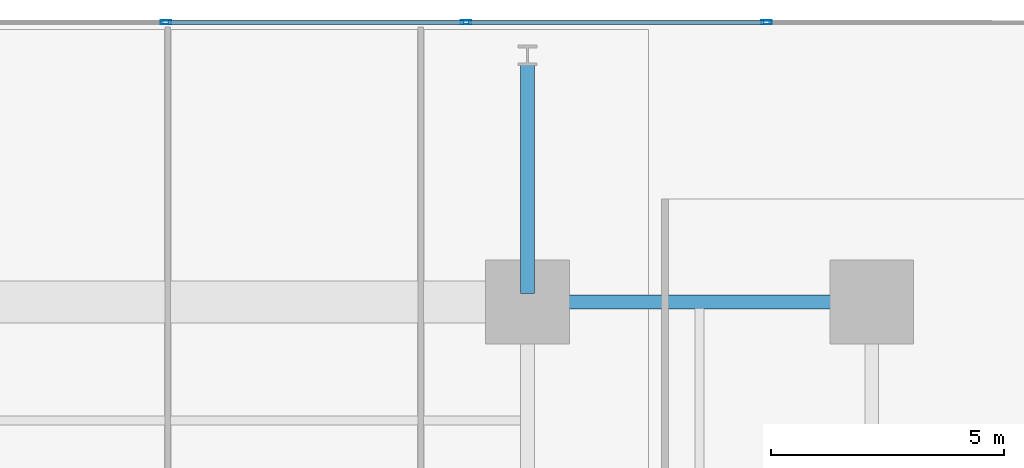
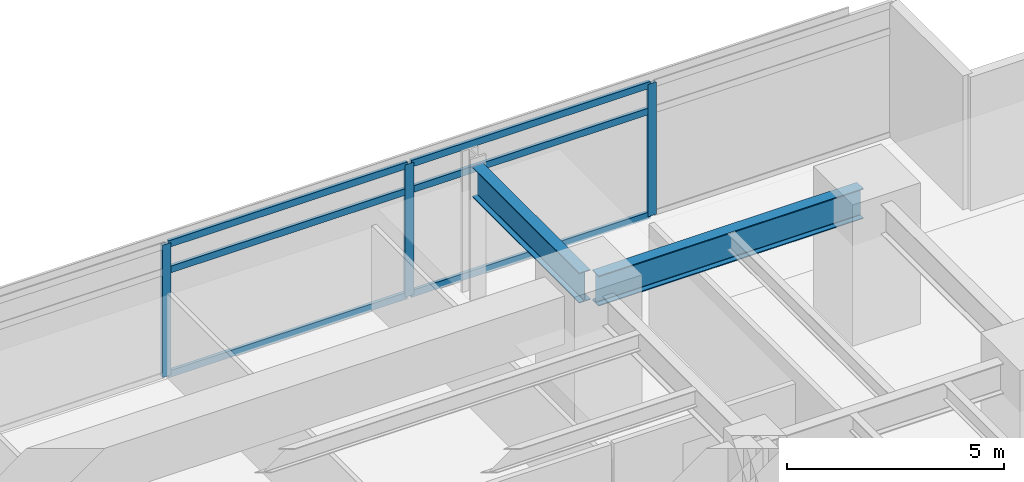
# One storey, part 13 of 24: 9 members, 2 beams, 1 element without a shape of its own.
"""IFC4 building model written with IfcOpenShell, lengths in metres."""

from ifc_helpers import new_model, si_unit, direction, frame, origin, origin_2d, place, context, subcontext, project, spatial, hollow_rectangle, i_section, extrude, material, material_profile, profile_set, type_object, element, aggregate, save


model = new_model("IFC4")

# Units and contexts
model_context = context("Model", 3, precision=1e-05, world=origin(), true_north=direction((0.0, 1.0)))
body_context = subcontext(model_context, "Body", "Model", "MODEL_VIEW")
ifc_project = project(units=[si_unit("LENGTHUNIT", "METRE"), si_unit("AREAUNIT", "SQUARE_METRE"), si_unit("VOLUMEUNIT", "CUBIC_METRE"), si_unit("PLANEANGLEUNIT", "RADIAN"), si_unit("MASSUNIT", "GRAM", prefix="KILO")], contexts=[model_context])

# Site, building, storey
site_placement = place(None, origin())
site = spatial("IfcSite", under=ifc_project, at=site_placement, CompositionType="ELEMENT")
building_placement = place(site_placement, origin())
building = spatial("IfcBuilding", under=site, at=building_placement, Name="Kovane Verandah Tower", CompositionType="ELEMENT")
storey_placement = place(building_placement, frame((0.0, 0.0, 95.60009765625)))
storey = spatial("IfcBuildingStorey", under=building, at=storey_placement, Name="L22", CompositionType="ELEMENT", Elevation=95.60009765625)

# Beams
ifc_material_1 = material(Name="Steel S355", Category="steel")
ifc_material_profile_1 = material_profile(ifc_material_1, i_section(OverallWidth=0.293701171875, OverallDepth=0.850830078125, WebThickness=0.01611328125, FlangeThickness=0.02685546875, FilletRadius=0.017822265625, at=origin_2d()), Name="UB838x292x226")
ifc_profile_set_1 = profile_set([ifc_material_profile_1], Name="Steel S355")
beam_type = type_object("IfcBeamType", Name="BM-UB838x226", PredefinedType="BEAM", material=ifc_profile_set_1)
beam_1_placement = place(storey_placement, frame((51.179931640625, 44.199951171875, 3.33447265625), z_axis=(1.0, 0.0, 0.0), x_axis=(0.0, 1.0, 0.0)))
element("IfcBeam", 1, at=beam_1_placement, inside=storey, type_object=beam_type, Name="L22 Primary Tower Girder G-RN3", PredefinedType="BEAM", context=body_context, shape_type="SweptSolid", body=[
    extrude(i_section(OverallWidth=0.293701171875, OverallDepth=0.850830078125, WebThickness=0.01611328125, FlangeThickness=0.02685546875, FilletRadius=0.017822265625, at=origin_2d()), origin(), (0.0, 0.0, 1.0), 7.0400390625),
])
beam_2_placement = place(storey_placement, frame((51.0, 44.3798828125, 3.33447265625), z_axis=(0.0, 1.0, 0.0), x_axis=(-1.0, 0.0, 0.0)))
element("IfcBeam", 2, at=beam_2_placement, inside=storey, type_object=beam_type, Name="L22 Primary Tower Girder G-VN2", PredefinedType="BEAM", context=body_context, shape_type="SweptSolid", body=[
    extrude(i_section(OverallWidth=0.293701171875, OverallDepth=0.850830078125, WebThickness=0.01611328125, FlangeThickness=0.02685546875, FilletRadius=0.017822265625, at=origin_2d()), origin(), (0.0, 0.0, 1.0), 4.940185546875),
])

# Curtain wall, members
ifc_material_2 = material(Name="Champagne Anodised Aluminium Frame with Low-E Clear Laminated Glass", Category="aluminium")
curtain_wall_type = type_object("IfcCurtainWallType", Name="CW-SYS-02-LOW", PredefinedType="NOTDEFINED", material=ifc_material_2)
curtain_wall_placement = place(storey_placement, origin())
curtain_wall = element("IfcCurtainWall", 3, at=curtain_wall_placement, inside=storey, type_object=curtain_wall_type, Name="L22 N Unitised Curtain Wall", PredefinedType="NOTDEFINED")
ifc_material_3 = material(Name="Champagne Anodised Aluminium 6063-T6", Category="aluminium")
ifc_material_profile_2 = material_profile(ifc_material_3, hollow_rectangle(XDim=0.0849609375, YDim=0.22998046875, WallThickness=0.00390625, at=origin_2d()), Name="AL85x230x4")
ifc_profile_set_2 = profile_set([ifc_material_profile_2], Name="Champagne Anodised Aluminium 6063-T6")
member_type_1 = type_object("IfcMemberType", Name="CW-MUL-85x230", PredefinedType="MULLION", material=ifc_profile_set_2)
member_1_placement = place(storey_placement, frame((56.133544921875, 50.2109375, 0.02001953125), z_axis=(0.0, 0.0, 1.0), x_axis=(0.0, 1.0, 0.0)))
member_1 = element("IfcMember", 4, at=member_1_placement, type_object=member_type_1, Name="L22 N Unitised Curtain Wall Mullion 2", PredefinedType="MULLION", context=body_context, shape_type="SweptSolid", body=[
    extrude(hollow_rectangle(XDim=0.0849609375, YDim=0.22998046875, WallThickness=0.00390625, at=origin_2d()), origin(), (0.0, 0.0, 1.0), 3.719970703125),
])
member_2_placement = place(storey_placement, frame((49.68017578125, 50.2109375, 0.02001953125), z_axis=(0.0, 0.0, 1.0), x_axis=(0.0, 1.0, 0.0)))
member_2 = element("IfcMember", 5, at=member_2_placement, type_object=member_type_1, Name="L22 N Unitised Curtain Wall Mullion 3", PredefinedType="MULLION", context=body_context, shape_type="SweptSolid", body=[
    extrude(hollow_rectangle(XDim=0.0849609375, YDim=0.22998046875, WallThickness=0.00390625, at=origin_2d()), origin(), (0.0, 0.0, 1.0), 3.719970703125),
])
member_3_placement = place(storey_placement, frame((43.226806640625, 50.2109375, 0.02001953125), z_axis=(0.0, 0.0, 1.0), x_axis=(0.0, 1.0, 0.0)))
member_3 = element("IfcMember", 6, at=member_3_placement, type_object=member_type_1, Name="L22 N Unitised Curtain Wall Mullion 4", PredefinedType="MULLION", context=body_context, shape_type="SweptSolid", body=[
    extrude(hollow_rectangle(XDim=0.0849609375, YDim=0.22998046875, WallThickness=0.00390625, at=origin_2d()), origin(), (0.0, 0.0, 1.0), 3.719970703125),
])
ifc_material_profile_3 = material_profile(ifc_material_3, hollow_rectangle(XDim=0.0849609375, YDim=0.18994140625, WallThickness=0.00390625, at=origin_2d()), Name="AL85x190x4")
ifc_profile_set_3 = profile_set([ifc_material_profile_3], Name="Champagne Anodised Aluminium 6063-T6")
member_type_2 = type_object("IfcMemberType", Name="CW-TRN-85x190", PredefinedType="USERDEFINED", material=ifc_profile_set_3)
member_4_placement = place(storey_placement, frame((56.08349609375, 50.2109375, 0.0498046875), z_axis=(-1.0, 0.0, 0.0), x_axis=(0.0, -1.0, 0.0)))
member_4 = element("IfcMember", 7, at=member_4_placement, type_object=member_type_2, Name="L22 N Unitised Curtain Wall Transom TB Bay 2", ObjectType="TRANSOM", PredefinedType="USERDEFINED", context=body_context, shape_type="SweptSolid", body=[
    extrude(hollow_rectangle(XDim=0.0849609375, YDim=0.18994140625, WallThickness=0.00390625, at=origin_2d()), origin(), (0.0, 0.0, 1.0), 6.353515625),
])
member_5_placement = place(storey_placement, frame((56.08349609375, 50.2109375, 2.97998046875), z_axis=(-1.0, 0.0, 0.0), x_axis=(0.0, -1.0, 0.0)))
member_5 = element("IfcMember", 8, at=member_5_placement, type_object=member_type_2, Name="L22 N Unitised Curtain Wall Transom TM Bay 2", ObjectType="TRANSOM", PredefinedType="USERDEFINED", context=body_context, shape_type="SweptSolid", body=[
    extrude(hollow_rectangle(XDim=0.0849609375, YDim=0.18994140625, WallThickness=0.00390625, at=origin_2d()), origin(), (0.0, 0.0, 1.0), 6.353515625),
])
member_6_placement = place(storey_placement, frame((56.08349609375, 50.2109375, 3.7099609375), z_axis=(-1.0, 0.0, 0.0), x_axis=(0.0, -1.0, 0.0)))
member_6 = element("IfcMember", 9, at=member_6_placement, type_object=member_type_2, Name="L22 N Unitised Curtain Wall Transom TT Bay 2", ObjectType="TRANSOM", PredefinedType="USERDEFINED", context=body_context, shape_type="SweptSolid", body=[
    extrude(hollow_rectangle(XDim=0.0849609375, YDim=0.18994140625, WallThickness=0.00390625, at=origin_2d()), origin(), (0.0, 0.0, 1.0), 6.353515625),
])
member_7_placement = place(storey_placement, frame((49.630126953125, 50.2109375, 0.0498046875), z_axis=(-1.0, 0.0, 0.0), x_axis=(0.0, -1.0, 0.0)))
member_7 = element("IfcMember", 10, at=member_7_placement, type_object=member_type_2, Name="L22 N Unitised Curtain Wall Transom TB Bay 3", ObjectType="TRANSOM", PredefinedType="USERDEFINED", context=body_context, shape_type="SweptSolid", body=[
    extrude(hollow_rectangle(XDim=0.0849609375, YDim=0.18994140625, WallThickness=0.00390625, at=origin_2d()), origin(), (0.0, 0.0, 1.0), 6.353515625),
])
member_8_placement = place(storey_placement, frame((49.630126953125, 50.2109375, 2.97998046875), z_axis=(-1.0, 0.0, 0.0), x_axis=(0.0, -1.0, 0.0)))
member_8 = element("IfcMember", 11, at=member_8_placement, type_object=member_type_2, Name="L22 N Unitised Curtain Wall Transom TM Bay 3", ObjectType="TRANSOM", PredefinedType="USERDEFINED", context=body_context, shape_type="SweptSolid", body=[
    extrude(hollow_rectangle(XDim=0.0849609375, YDim=0.18994140625, WallThickness=0.00390625, at=origin_2d()), origin(), (0.0, 0.0, 1.0), 6.353515625),
])
member_9_placement = place(storey_placement, frame((49.630126953125, 50.2109375, 3.7099609375), z_axis=(-1.0, 0.0, 0.0), x_axis=(0.0, -1.0, 0.0)))
member_9 = element("IfcMember", 12, at=member_9_placement, type_object=member_type_2, Name="L22 N Unitised Curtain Wall Transom TT Bay 3", ObjectType="TRANSOM", PredefinedType="USERDEFINED", context=body_context, shape_type="SweptSolid", body=[
    extrude(hollow_rectangle(XDim=0.0849609375, YDim=0.18994140625, WallThickness=0.00390625, at=origin_2d()), origin(), (0.0, 0.0, 1.0), 6.353515625),
])
aggregate(curtain_wall, [member_1, member_2, member_3, member_4, member_5, member_6, member_7, member_8, member_9])

save(model, "model.ifc")
